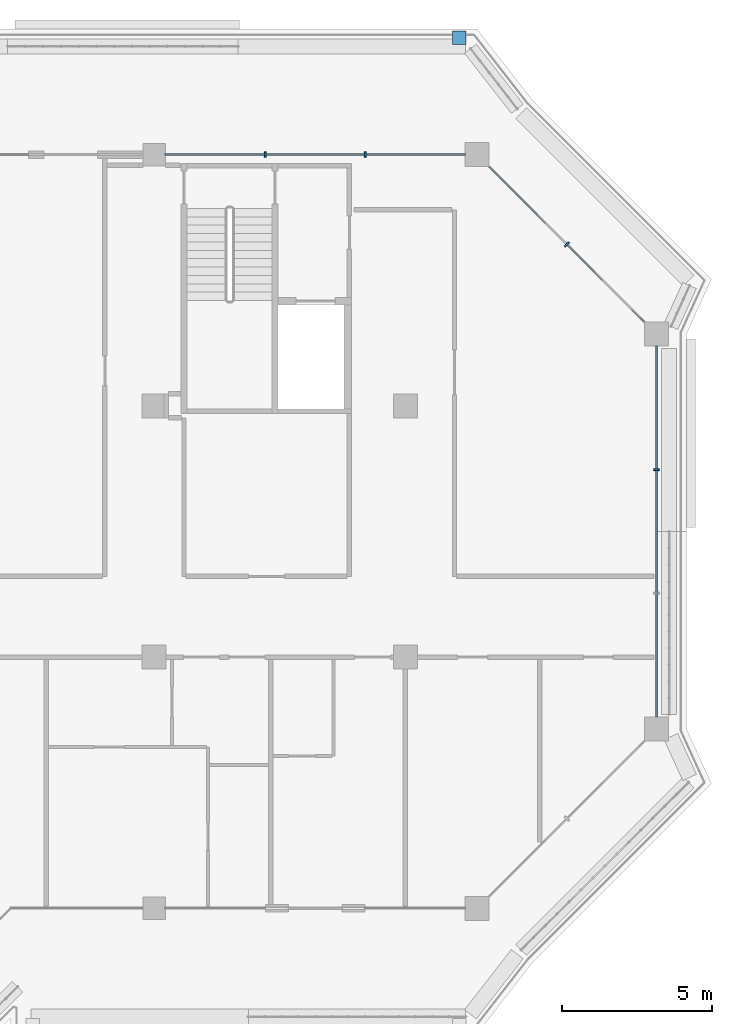
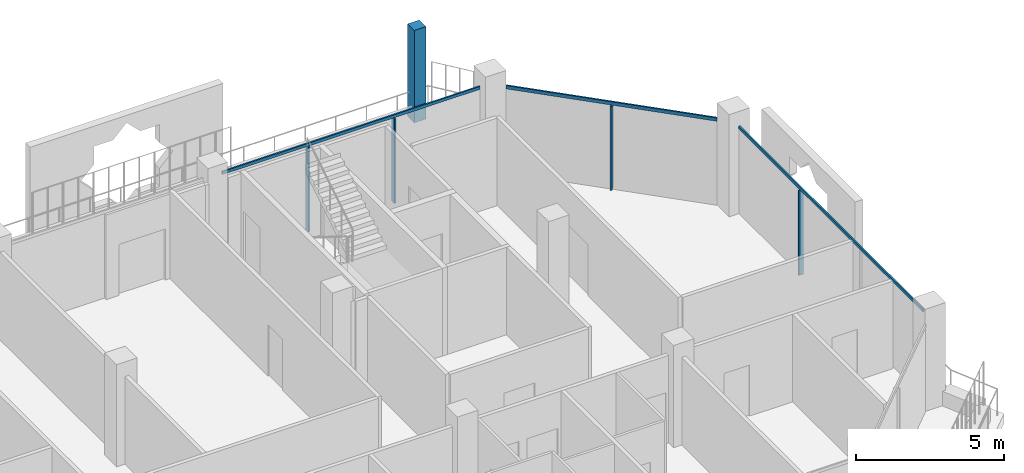
# One storey, part 8 of 22: 8 members, 4 elements without a shape of their own.
"""IFC4 building model written with IfcOpenShell, lengths in metres."""

from ifc_helpers import new_model, si_unit, direction, frame, origin, origin_2d, place, context, subcontext, project, spatial, rectangle, extrude, material, layer, layer_set, material_profile, profile_set, type_object, element, aggregate, save


model = new_model("IFC4")

# Units and contexts
model_context = context("Model", 3, precision=1e-05, world=origin(), true_north=direction((0.0, 1.0)))
body_context = subcontext(model_context, "Body", "Model", "MODEL_VIEW")
ifc_project = project(units=[si_unit("LENGTHUNIT", "METRE"), si_unit("AREAUNIT", "SQUARE_METRE"), si_unit("VOLUMEUNIT", "CUBIC_METRE"), si_unit("PLANEANGLEUNIT", "RADIAN"), si_unit("MASSUNIT", "GRAM", prefix="KILO")], contexts=[model_context])

# Site, building, storey
site_placement = place(None, origin())
site = spatial("IfcSite", under=ifc_project, at=site_placement, CompositionType="ELEMENT")
building_placement = place(site_placement, origin())
building = spatial("IfcBuilding", under=site, at=building_placement, Name="Kawkab Arch Medical Tower", CompositionType="ELEMENT")
storey_placement = place(building_placement, frame((0.0, 0.0, 294.39990234375)))
storey = spatial("IfcBuildingStorey", under=building, at=storey_placement, Name="L68", CompositionType="ELEMENT", Elevation=294.39990234375)

# Curtain wall, member
ifc_material_1 = material(Name="Bronze anodised aluminium curtain wall frame", Category="aluminium")
ifc_layer_1 = layer(ifc_material_1, 0.159912109375)
ifc_layer_set_1 = layer_set([ifc_layer_1], Name="Bronze anodised aluminium curtain wall frame")
curtain_wall_type_1 = type_object("IfcCurtainWallType", Name="CW1 ward curtain wall", PredefinedType="NOTDEFINED", material=ifc_layer_set_1)
placement = place(storey_placement, origin())
curtain_wall_1 = element("IfcCurtainWall", 1, at=placement, inside=storey, type_object=curtain_wall_type_1, Name="CW1 Ward curtain wall R13", PredefinedType="NOTDEFINED")
ifc_material_2 = material(Name="Bronze anodised aluminium curtain wall frame", Category="aluminium")
ifc_material_profile_1 = material_profile(ifc_material_2, rectangle(XDim=0.179931640625, YDim=0.06005859375, at=origin_2d()), Name="AL 60x180")
ifc_profile_set_1 = profile_set([ifc_material_profile_1], Name="Bronze anodised aluminium curtain wall frame")
member_type_1 = type_object("IfcMemberType", Name="CW1 mullion 60 x 180", PredefinedType="MULLION", material=ifc_profile_set_1)
member_1_placement = place(storey_placement, frame((58.800048828125, -10.533447265625, 0.0), z_axis=(0.0, 0.0, 1.0), x_axis=(-1.0, 0.0, 0.0)))
member_1 = element("IfcMember", 2, at=member_1_placement, type_object=member_type_1, Name="CW1 mullion 1.2", PredefinedType="MULLION", context=body_context, shape_type="SweptSolid", body=[
    extrude(rectangle(XDim=0.179931640625, YDim=0.06005859375, at=origin_2d()), origin(), (0.0, 0.0, 1.0), 3.47998046875),
])

# Curtain wall, members
curtain_wall_2 = element("IfcCurtainWall", 3, at=placement, inside=storey, type_object=curtain_wall_type_1, Name="CW1 Ward curtain wall R15", PredefinedType="NOTDEFINED")
member_2_placement = place(storey_placement, frame((49.058349609375, 0.0, 0.0), z_axis=(0.0, 0.0, 1.0), x_axis=(0.0, -1.0, 0.0)))
member_2 = element("IfcMember", 4, at=member_2_placement, type_object=member_type_1, Name="CW1 mullion 1.1", PredefinedType="MULLION", context=body_context, shape_type="SweptSolid", body=[
    extrude(rectangle(XDim=0.179931640625, YDim=0.06005859375, at=origin_2d()), origin(), (0.0, 0.0, 1.0), 3.47998046875),
])
member_3_placement = place(storey_placement, frame((45.716552734375, 0.0, 0.0), z_axis=(0.0, 0.0, 1.0), x_axis=(0.0, -1.0, 0.0)))
member_3 = element("IfcMember", 5, at=member_3_placement, type_object=member_type_1, Name="CW1 mullion 1.2", PredefinedType="MULLION", context=body_context, shape_type="SweptSolid", body=[
    extrude(rectangle(XDim=0.179931640625, YDim=0.06005859375, at=origin_2d()), origin(), (0.0, 0.0, 1.0), 3.47998046875),
])

# Member
ifc_material_3 = material(Name="Bronze anodised aluminium curtain wall frame", Category="aluminium")
ifc_material_profile_2 = material_profile(ifc_material_3, rectangle(XDim=0.06005859375, YDim=0.1201171875, at=origin_2d()), Name="AL 60x120")
ifc_profile_set_2 = profile_set([ifc_material_profile_2], Name="Bronze anodised aluminium curtain wall frame")
member_type_2 = type_object("IfcMemberType", Name="CW1 transom 120 x 60", PredefinedType="USERDEFINED", material=ifc_profile_set_2)
member_4_placement = place(storey_placement, frame((58.800048828125, -18.800048828125, 3.5400390625), z_axis=(0.0, 1.0, 0.0), x_axis=(-1.0, 0.0, 0.0)))
member_4 = element("IfcMember", 6, at=member_4_placement, type_object=member_type_2, Name="CW1 transom 1", ObjectType="TRANSOM", PredefinedType="USERDEFINED", context=body_context, shape_type="SweptSolid", body=[
    extrude(rectangle(XDim=0.06005859375, YDim=0.1201171875, at=origin_2d()), origin(), (0.0, 0.0, 1.0), 12.400146484375),
])

aggregate(curtain_wall_1, [member_4, member_1])

member_5_placement = place(storey_placement, frame((52.39990234375, 0.0, 3.5400390625), z_axis=(-1.0, 0.0, 0.0), x_axis=(0.0, -1.0, 0.0)))
member_5 = element("IfcMember", 7, at=member_5_placement, type_object=member_type_2, Name="CW1 transom 1", ObjectType="TRANSOM", PredefinedType="USERDEFINED", context=body_context, shape_type="SweptSolid", body=[
    extrude(rectangle(XDim=0.06005859375, YDim=0.1201171875, at=origin_2d()), origin(), (0.0, 0.0, 1.0), 10.02490234375),
])

aggregate(curtain_wall_2, [member_5, member_2, member_3])

# Curtain wall, members
ifc_material_4 = material(Name="Bronze anodised aluminium curtain wall frame", Category="aluminium")
ifc_layer_2 = layer(ifc_material_4, 0.159912109375)
ifc_layer_set_2 = layer_set([ifc_layer_2], Name="Bronze anodised aluminium curtain wall frame")
curtain_wall_type_2 = type_object("IfcCurtainWallType", Name="CW2 chamfer curtain wall", PredefinedType="NOTDEFINED", material=ifc_layer_set_2)
curtain_wall_3 = element("IfcCurtainWall", 8, at=placement, inside=storey, type_object=curtain_wall_type_2, Name="CW2 Chamfer curtain wall R14", PredefinedType="NOTDEFINED")
ifc_material_5 = material(Name="Bronze anodised aluminium curtain wall frame", Category="aluminium")
ifc_material_profile_3 = material_profile(ifc_material_5, rectangle(XDim=0.199951171875, YDim=0.06005859375, at=origin_2d()), Name="AL 60x200")
ifc_profile_set_3 = profile_set([ifc_material_profile_3], Name="Bronze anodised aluminium curtain wall frame")
member_type_3 = type_object("IfcMemberType", Name="CW2 mullion 60 x 200", PredefinedType="MULLION", material=ifc_profile_set_3)
member_6_placement = place(storey_placement, frame((55.800048828125, -3.0, 0.0), z_axis=(0.0, 0.0, 1.0), x_axis=(-0.707106781187, -0.707106781187, 0.0)))
member_6 = element("IfcMember", 9, at=member_6_placement, type_object=member_type_3, Name="CW2 mullion 1.1", PredefinedType="MULLION", context=body_context, shape_type="SweptSolid", body=[
    extrude(rectangle(XDim=0.199951171875, YDim=0.06005859375, at=origin_2d()), origin(), (0.0, 0.0, 1.0), 3.460205078125),
])
ifc_material_6 = material(Name="Bronze anodised aluminium curtain wall frame", Category="aluminium")
ifc_material_profile_4 = material_profile(ifc_material_6, rectangle(XDim=0.06005859375, YDim=0.139892578125, at=origin_2d()), Name="AL 60x140")
ifc_profile_set_4 = profile_set([ifc_material_profile_4], Name="Bronze anodised aluminium curtain wall frame")
member_type_4 = type_object("IfcMemberType", Name="CW2 transom 140 x 60", PredefinedType="USERDEFINED", material=ifc_profile_set_4)
member_7_placement = place(storey_placement, frame((58.39990234375, -5.60009765625, 3.530029296875), z_axis=(-0.707090181851, 0.707123380132, 0.0), x_axis=(-0.707123380132, -0.707090181851, 0.0)))
member_7 = element("IfcMember", 10, at=member_7_placement, type_object=member_type_4, Name="CW2 transom 1", ObjectType="TRANSOM", PredefinedType="USERDEFINED", context=body_context, shape_type="SweptSolid", body=[
    extrude(rectangle(XDim=0.06005859375, YDim=0.139892578125, at=origin_2d()), origin(), (0.0, 0.0, 1.0), 7.35400390625),
])
aggregate(curtain_wall_3, [member_7, member_6])

# Curtain wall, member
ifc_material_7 = material(Name="Bronze anodised aluminium climber frame, planted", Category="aluminium")
ifc_layer_3 = layer(ifc_material_7, 0.449951171875)
ifc_layer_set_3 = layer_set([ifc_layer_3], Name="Bronze anodised aluminium climber frame, planted")
curtain_wall_type_3 = type_object("IfcCurtainWallType", Name="Planted climber frame", PredefinedType="NOTDEFINED", material=ifc_layer_set_3)
curtain_wall_4 = element("IfcCurtainWall", 11, at=placement, inside=storey, type_object=curtain_wall_type_3, Name="Planted climber frame L68", PredefinedType="NOTDEFINED")
ifc_material_8 = material(Name="Bronze anodised aluminium climber frame, planted", Category="aluminium")
ifc_material_profile_5 = material_profile(ifc_material_8, rectangle(XDim=0.449951171875, YDim=0.449951171875, at=origin_2d()), Name="Post 450x450")
ifc_profile_set_5 = profile_set([ifc_material_profile_5], Name="Bronze anodised aluminium climber frame, planted")
member_type_5 = type_object("IfcMemberType", Name="Planted climber post 450 x 450", PredefinedType="MULLION", material=ifc_profile_set_5)
member_8_placement = place(storey_placement, frame((52.202880859375, 3.89990234375, 0.0), z_axis=(0.0, 0.0, 1.0), x_axis=(1.0, 0.0, 0.0)))
member_8 = element("IfcMember", 12, at=member_8_placement, type_object=member_type_5, Name="Planted climber post L68.LOG-01-01.4", PredefinedType="MULLION", context=body_context, shape_type="SweptSolid", body=[
    extrude(rectangle(XDim=0.449951171875, YDim=0.449951171875, at=origin_2d()), origin(), (0.0, 0.0, 1.0), 3.800048828125),
])
aggregate(curtain_wall_4, [member_8])

save(model, "model.ifc")
